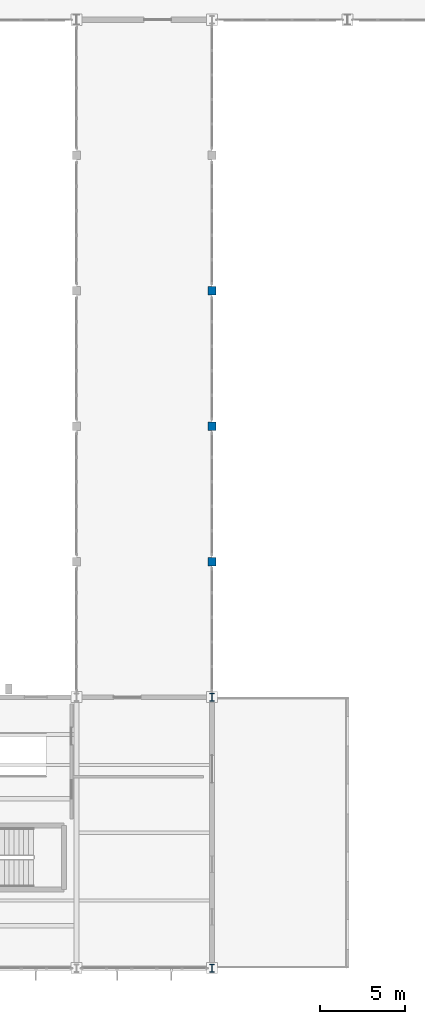
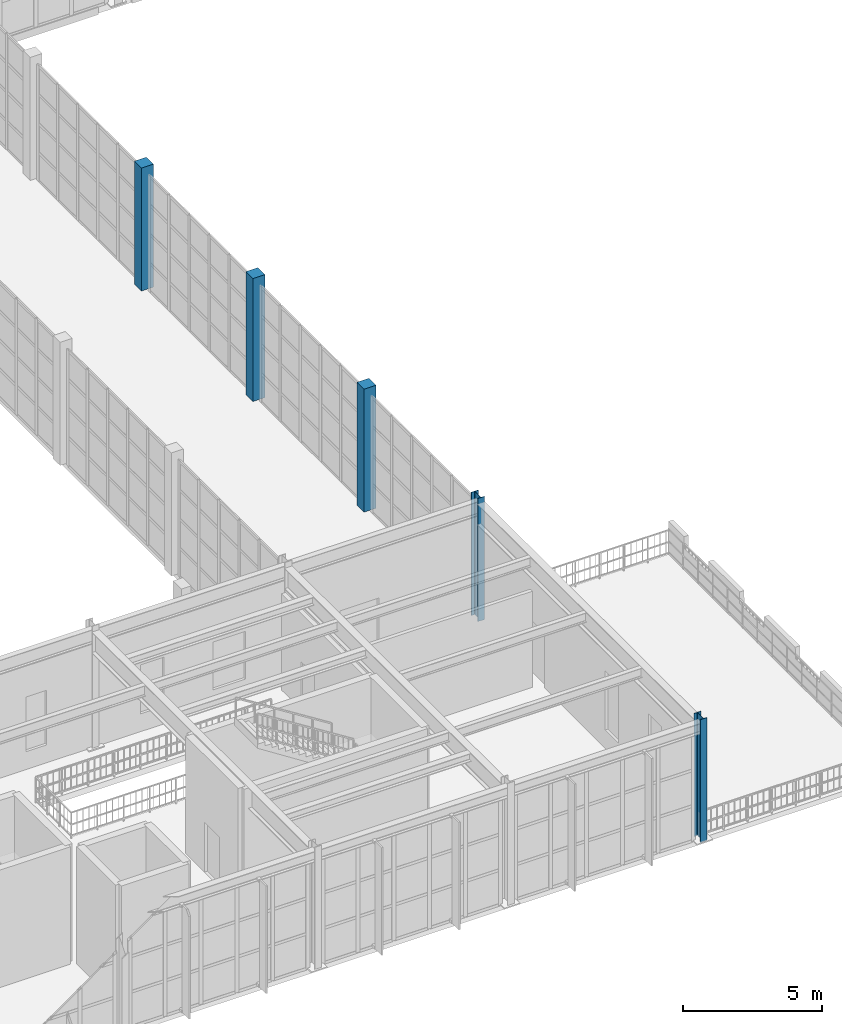
# One storey, part 9 of 82: 5 columns.
"""IFC4 building model written with IfcOpenShell, lengths in metres."""

from ifc_helpers import new_model, si_unit, direction, frame, origin, origin_2d, place, context, subcontext, project, spatial, rectangle, i_section, extrude, material, material_profile, profile_set, type_object, element, save


model = new_model("IFC4")

# Units and contexts
model_context = context("Model", 3, precision=1e-05, world=origin(), true_north=direction((0.0, 1.0)))
body_context = subcontext(model_context, "Body", "Model", "MODEL_VIEW")
ifc_project = project(units=[si_unit("LENGTHUNIT", "METRE"), si_unit("AREAUNIT", "SQUARE_METRE"), si_unit("VOLUMEUNIT", "CUBIC_METRE"), si_unit("PLANEANGLEUNIT", "RADIAN"), si_unit("MASSUNIT", "GRAM", prefix="KILO")], contexts=[model_context])

# Site, building, storey
site_placement = place(None, origin())
site = spatial("IfcSite", under=ifc_project, at=site_placement, CompositionType="ELEMENT")
building_placement = place(site_placement, origin())
building = spatial("IfcBuilding", under=site, at=building_placement, Name="Serraluz Foothill Cableway Terminal", CompositionType="ELEMENT")
storey_placement = place(building_placement, frame((0.0, 0.0, 9.60009765625)))
storey = spatial("IfcBuildingStorey", under=building, at=storey_placement, Name="L02", CompositionType="ELEMENT", Elevation=9.60009765625)

# Columns
ifc_material_1 = material(Name="Concrete C35/45 (f'c 35 MPa)", Category="concrete")
ifc_material_profile_1 = material_profile(ifc_material_1, rectangle(XDim=0.5, YDim=0.5, at=origin_2d()), Name="RC 500x500")
ifc_profile_set_1 = profile_set([ifc_material_profile_1], Name="Concrete C35/45 (f'c 35 MPa)")
column_type_1 = type_object("IfcColumnType", Name="TYP-COL-RC500", PredefinedType="COLUMN", material=ifc_profile_set_1)
for number, where, z_axis, x_axis, name in (
    (1, (128.0, 24.0, 0.0), (0.0, 0.0, 1.0), (1.0, 0.0, 0.0), "Column COL-V3-CL-128-24-L02"),
    (2, (128.0, 32.0, 0.0), (0.0, 0.0, 1.0), (1.0, 0.0, 0.0), "Column COL-V3-CL-128-32-L02"),
    (3, (128.0, 40.0, 0.0), (0.0, 0.0, 1.0), (1.0, 0.0, 0.0), "Column COL-V3-CL-128-40-L02"),
):
    element("IfcColumn", number, at=place(storey_placement, frame(where, z_axis=z_axis, x_axis=x_axis)), inside=storey, type_object=column_type_1, Name=name, PredefinedType="COLUMN", context=body_context, shape_type="SweptSolid", body=[
        extrude(rectangle(XDim=0.5, YDim=0.5, at=origin_2d()), origin(), (0.0, 0.0, 1.0), 5.39990234375),
    ])
ifc_material_2 = material(Name="Steel ASTM A992 Grade 50", Category="steel")
ifc_material_profile_2 = material_profile(ifc_material_2, i_section(OverallWidth=0.282958984375, OverallDepth=0.471923828125, WebThickness=0.013671875, FlangeThickness=0.022216796875, FilletRadius=0.014892578125, at=origin_2d()), Name="W18X97")
ifc_profile_set_2 = profile_set([ifc_material_profile_2], Name="Steel ASTM A992 Grade 50")
column_type_2 = type_object("IfcColumnType", Name="TYP-COL-W18X97", PredefinedType="COLUMN", material=ifc_profile_set_2)
for number, where, z_axis, x_axis, name in (
    (4, (128.0, 0.0, 0.0), (0.0, 0.0, 1.0), (1.0, 0.0, 0.0), "Column COL-V3-128-0-L02"),
    (5, (128.0, 16.0, 0.0), (0.0, 0.0, 1.0), (1.0, 0.0, 0.0), "Column COL-V3-128-16-L02"),
):
    element("IfcColumn", number, at=place(storey_placement, frame(where, z_axis=z_axis, x_axis=x_axis)), inside=storey, type_object=column_type_2, Name=name, PredefinedType="COLUMN", context=body_context, shape_type="SweptSolid", body=[
        extrude(i_section(OverallWidth=0.282958984375, OverallDepth=0.471923828125, WebThickness=0.013671875, FlangeThickness=0.022216796875, FilletRadius=0.014892578125, at=origin_2d()), origin(), (0.0, 0.0, 1.0), 5.39990234375),
    ])

save(model, "model.ifc")
